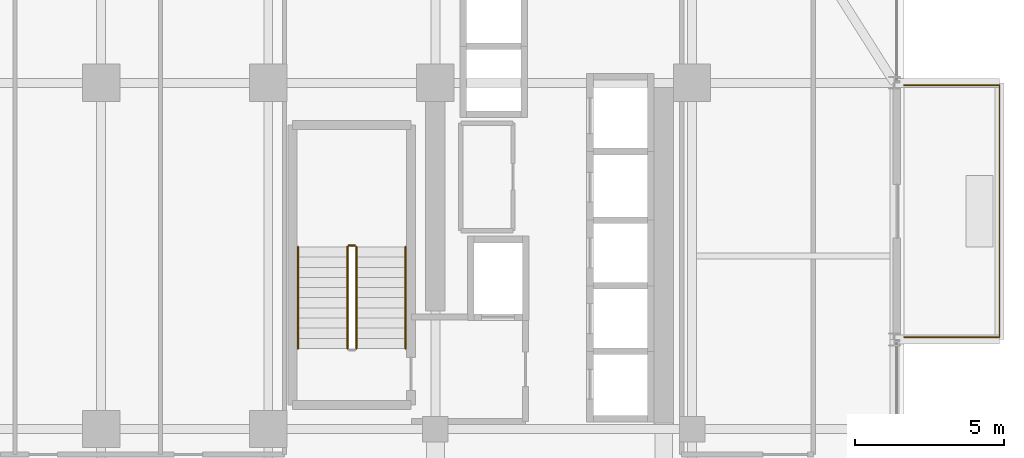
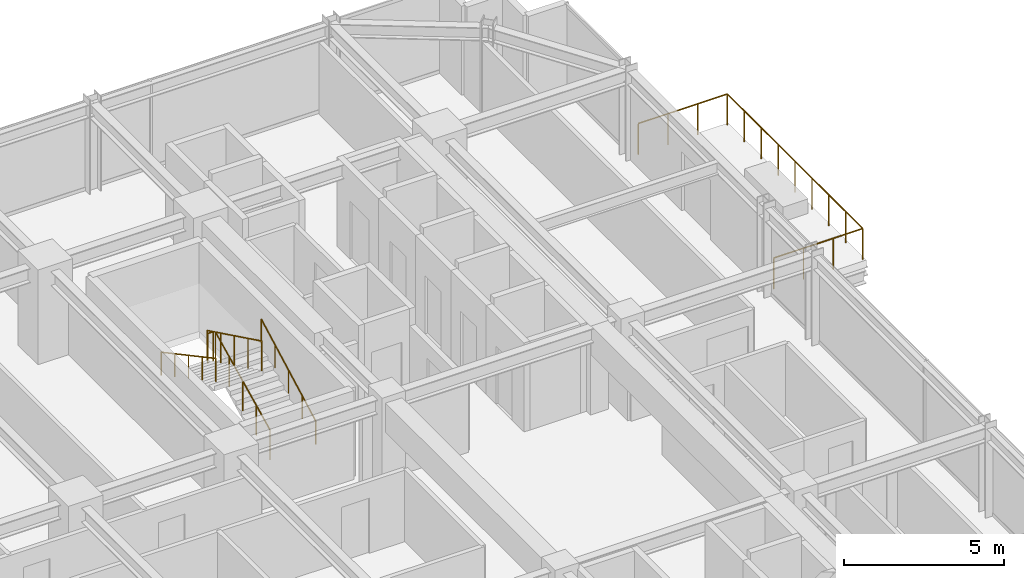
# One storey, part 31 of 32: 6 railings.
"""IFC4 building model written with IfcOpenShell, lengths in metres."""

from ifc_helpers import new_model, si_unit, direction, frame, origin, origin_2d, place, context, subcontext, project, spatial, circle, extrude, material, type_object, element, save


model = new_model("IFC4")

# Units and contexts
model_context = context("Model", 3, precision=1e-05, world=origin(), true_north=direction((0.0, 1.0)))
body_context = subcontext(model_context, "Body", "Model", "MODEL_VIEW")
ifc_project = project(units=[si_unit("LENGTHUNIT", "METRE"), si_unit("AREAUNIT", "SQUARE_METRE"), si_unit("VOLUMEUNIT", "CUBIC_METRE"), si_unit("PLANEANGLEUNIT", "RADIAN"), si_unit("MASSUNIT", "GRAM", prefix="KILO")], contexts=[model_context])

# Site, building, storey
site_placement = place(None, origin())
site = spatial("IfcSite", under=ifc_project, at=site_placement, CompositionType="ELEMENT")
building_placement = place(site_placement, origin())
building = spatial("IfcBuilding", under=site, at=building_placement, Name="Nahalor Promenade Grand Hotel", CompositionType="ELEMENT")
storey_placement = place(building_placement, frame((0.0, 0.0, 102.89990234375)))
storey = spatial("IfcBuildingStorey", under=building, at=storey_placement, Name="L25", CompositionType="ELEMENT", Elevation=102.89990234375)

# Railings
ifc_material_1 = material(Name="Anodised Bronze Aluminium EN AW-6063 T6", Category="aluminium")
railing_type_1 = type_object("IfcRailingType", Name="Bronze Balcony Guardrail 1200 mm", PredefinedType="GUARDRAIL", material=ifc_material_1)
railing_1_placement = place(storey_placement, frame((24.10009765625, 8.47998046875, 0.0)))
element("IfcRailing", 1, at=railing_1_placement, inside=storey, type_object=railing_type_1, Name="L25 Balcony Guardrail 2", PredefinedType="GUARDRAIL", context=body_context, shape_type="SweptSolid", body=[
    extrude(circle(Radius=0.024048, at=origin_2d()), frame((0.0, 0.0, 1.17578125), z_axis=(1.0, 0.0, 0.0), x_axis=(0.0, 1.0, 0.0)), (0.0, 0.0, 1.0), 3.197998046875),
    extrude(circle(Radius=0.024048, at=origin_2d()), frame((3.199951171875, 0.001953125, 1.17578125), z_axis=(0.0, 1.0, 0.0), x_axis=(-1.0, 0.0, 0.0)), (0.0, 0.0, 1.0), 8.43603515625),
    extrude(circle(Radius=0.024048, at=origin_2d()), frame((3.197998046875, 8.43994140625, 1.17578125), z_axis=(-1.0, 0.0, 0.0), x_axis=(0.0, -1.0, 0.0)), (0.0, 0.0, 1.0), 3.197998046875),
    extrude(circle(Radius=0.020996, at=origin_2d()), origin(), (0.0, 0.0, 1.0), 1.14990234375),
    extrude(circle(Radius=0.020996, at=origin_2d()), frame((1.066650390625, 0.0, 0.0)), (0.0, 0.0, 1.0), 1.14990234375),
    extrude(circle(Radius=0.020996, at=origin_2d()), frame((2.13330078125, 0.0, 0.0)), (0.0, 0.0, 1.0), 1.14990234375),
    extrude(circle(Radius=0.020996, at=origin_2d()), frame((3.199951171875, 0.0, 0.0)), (0.0, 0.0, 1.0), 1.14990234375),
    extrude(circle(Radius=0.020996, at=origin_2d()), frame((3.199951171875, 1.054931640625, 0.0)), (0.0, 0.0, 1.0), 1.14990234375),
    extrude(circle(Radius=0.020996, at=origin_2d()), frame((3.199951171875, 2.10986328125, 0.0)), (0.0, 0.0, 1.0), 1.14990234375),
    extrude(circle(Radius=0.020996, at=origin_2d()), frame((3.199951171875, 3.1650390625, 0.0)), (0.0, 0.0, 1.0), 1.14990234375),
    extrude(circle(Radius=0.020996, at=origin_2d()), frame((3.199951171875, 4.219970703125, 0.0)), (0.0, 0.0, 1.0), 1.14990234375),
    extrude(circle(Radius=0.020996, at=origin_2d()), frame((3.199951171875, 5.27490234375, 0.0)), (0.0, 0.0, 1.0), 1.14990234375),
    extrude(circle(Radius=0.020996, at=origin_2d()), frame((3.199951171875, 6.330078125, 0.0)), (0.0, 0.0, 1.0), 1.14990234375),
    extrude(circle(Radius=0.020996, at=origin_2d()), frame((3.199951171875, 7.385009765625, 0.0)), (0.0, 0.0, 1.0), 1.14990234375),
    extrude(circle(Radius=0.020996, at=origin_2d()), frame((3.199951171875, 8.43994140625, 0.0)), (0.0, 0.0, 1.0), 1.14990234375),
    extrude(circle(Radius=0.020996, at=origin_2d()), frame((2.13330078125, 8.43994140625, 0.0)), (0.0, 0.0, 1.0), 1.14990234375),
    extrude(circle(Radius=0.020996, at=origin_2d()), frame((1.066650390625, 8.43994140625, 0.0)), (0.0, 0.0, 1.0), 1.14990234375),
    extrude(circle(Radius=0.020996, at=origin_2d()), frame((0.0, 8.43994140625, 0.0)), (0.0, 0.0, 1.0), 1.14990234375),
])
ifc_material_2 = material(Name="Steel S355JR", Category="steel")
railing_type_2 = type_object("IfcRailingType", Name="Steel Stair Guardrail 1150 mm", PredefinedType="GUARDRAIL", material=ifc_material_2)
railing_2_placement = place(storey_placement, frame((5.75, 8.10009765625, 0.166015625)))
element("IfcRailing", 2, at=railing_2_placement, inside=storey, type_object=railing_type_2, Name="L25 ST1 stair guard 1", PredefinedType="GUARDRAIL", context=body_context, shape_type="SweptSolid", body=[
    extrude(circle(Radius=0.024048, at=origin_2d()), frame((0.0, 0.0, 1.1259765625), z_axis=(0.0, 0.898696488221, 0.438571114028), x_axis=(-1.0, 0.0, 0.0)), (0.0, 0.0, 1.0), 3.783203125),
    extrude(circle(Radius=0.020996, at=origin_2d()), origin(), (0.0, 0.0, 1.0), 1.099853515625),
    extrude(circle(Radius=0.020996, at=origin_2d()), frame((0.0, 0.85009765625, 0.414794921875)), (0.0, 0.0, 1.0), 1.099853515625),
    extrude(circle(Radius=0.020996, at=origin_2d()), frame((0.0, 1.699951171875, 0.82958984375)), (0.0, 0.0, 1.0), 1.099853515625),
    extrude(circle(Radius=0.020996, at=origin_2d()), frame((0.0, 2.5498046875, 1.244384765625)), (0.0, 0.0, 1.0), 1.099853515625),
    extrude(circle(Radius=0.020996, at=origin_2d()), frame((0.0, 3.39990234375, 1.6591796875)), (0.0, 0.0, 1.0), 1.099853515625),
])
railing_3_placement = place(storey_placement, frame((5.699951171875, 11.550048828125, 1.8251953125)))
element("IfcRailing", 3, at=railing_3_placement, inside=storey, type_object=railing_type_2, Name="L25 ST1 stair guard 2", PredefinedType="GUARDRAIL", context=body_context, shape_type="SweptSolid", body=[
    extrude(circle(Radius=0.024048, at=origin_2d()), frame((0.0, 0.0, 1.1259765625), z_axis=(-1.0, 0.0, 0.0), x_axis=(0.0, -1.0, 0.0)), (0.0, 0.0, 1.0), 0.199951171875),
    extrude(circle(Radius=0.020996, at=origin_2d()), origin(), (0.0, 0.0, 1.0), 1.099853515625),
    extrude(circle(Radius=0.020996, at=origin_2d()), frame((-0.199951171875, 0.0, 0.0)), (0.0, 0.0, 1.0), 1.099853515625),
])
railing_4_placement = place(storey_placement, frame((5.449951171875, 11.5, 1.990966796875)))
element("IfcRailing", 4, at=railing_4_placement, inside=storey, type_object=railing_type_2, Name="L25 ST1 stair guard 3", PredefinedType="GUARDRAIL", context=body_context, shape_type="SweptSolid", body=[
    extrude(circle(Radius=0.024048, at=origin_2d()), frame((0.0, 0.0, 1.1259765625), z_axis=(0.0, -0.898696488221, 0.438571114028), x_axis=(1.0, 0.0, 0.0)), (0.0, 0.0, 1.0), 3.783203125),
    extrude(circle(Radius=0.020996, at=origin_2d()), origin(), (0.0, 0.0, 1.0), 1.099853515625),
    extrude(circle(Radius=0.020996, at=origin_2d()), frame((0.0, -0.85009765625, 0.414794921875)), (0.0, 0.0, 1.0), 1.099853515625),
    extrude(circle(Radius=0.020996, at=origin_2d()), frame((0.0, -1.699951171875, 0.82958984375)), (0.0, 0.0, 1.0), 1.099853515625),
    extrude(circle(Radius=0.020996, at=origin_2d()), frame((0.0, -2.5498046875, 1.244384765625)), (0.0, 0.0, 1.0), 1.099853515625),
    extrude(circle(Radius=0.020996, at=origin_2d()), frame((0.0, -3.39990234375, 1.6591796875)), (0.0, 0.0, 1.0), 1.099853515625),
])
railing_type_3 = type_object("IfcRailingType", Name="Steel Stair Handrail 900 mm", PredefinedType="HANDRAIL", material=ifc_material_2)
railing_5_placement = place(storey_placement, frame((7.39990234375, 8.10009765625, 0.166015625)))
element("IfcRailing", 5, at=railing_5_placement, inside=storey, type_object=railing_type_3, Name="L25 ST1 stair handrail 1", PredefinedType="HANDRAIL", context=body_context, shape_type="SweptSolid", body=[
    extrude(circle(Radius=0.024048, at=origin_2d()), frame((0.0, 0.0, 0.8759765625), z_axis=(0.0, 0.881094038095, 0.47294111265), x_axis=(-1.0, 0.0, 0.0)), (0.0, 0.0, 1.0), 3.858642578125),
    extrude(circle(Radius=0.020996, at=origin_2d()), origin(), (0.0, 0.0, 1.0), 0.849853515625),
    extrude(circle(Radius=0.020996, at=origin_2d()), frame((0.0, 0.85009765625, 0.456298828125)), (0.0, 0.0, 1.0), 0.849853515625),
    extrude(circle(Radius=0.020996, at=origin_2d()), frame((0.0, 1.699951171875, 0.91259765625)), (0.0, 0.0, 1.0), 0.849853515625),
    extrude(circle(Radius=0.020996, at=origin_2d()), frame((0.0, 2.5498046875, 1.36865234375)), (0.0, 0.0, 1.0), 0.849853515625),
    extrude(circle(Radius=0.020996, at=origin_2d()), frame((0.0, 3.39990234375, 1.824951171875)), (0.0, 0.0, 1.0), 0.849853515625),
])
railing_6_placement = place(storey_placement, frame((3.800048828125, 11.5, 1.990966796875)))
element("IfcRailing", 6, at=railing_6_placement, inside=storey, type_object=railing_type_3, Name="L25 ST1 stair handrail 2", PredefinedType="HANDRAIL", context=body_context, shape_type="SweptSolid", body=[
    extrude(circle(Radius=0.024048, at=origin_2d()), frame((0.0, 0.0, 0.8759765625), z_axis=(0.0, -0.881094038095, 0.47294111265), x_axis=(1.0, 0.0, 0.0)), (0.0, 0.0, 1.0), 3.858642578125),
    extrude(circle(Radius=0.020996, at=origin_2d()), origin(), (0.0, 0.0, 1.0), 0.849853515625),
    extrude(circle(Radius=0.020996, at=origin_2d()), frame((0.0, -0.85009765625, 0.456298828125)), (0.0, 0.0, 1.0), 0.849853515625),
    extrude(circle(Radius=0.020996, at=origin_2d()), frame((0.0, -1.699951171875, 0.91259765625)), (0.0, 0.0, 1.0), 0.849853515625),
    extrude(circle(Radius=0.020996, at=origin_2d()), frame((0.0, -2.5498046875, 1.36865234375)), (0.0, 0.0, 1.0), 0.849853515625),
    extrude(circle(Radius=0.020996, at=origin_2d()), frame((0.0, -3.39990234375, 1.824951171875)), (0.0, 0.0, 1.0), 0.849853515625),
])

save(model, "model.ifc")
